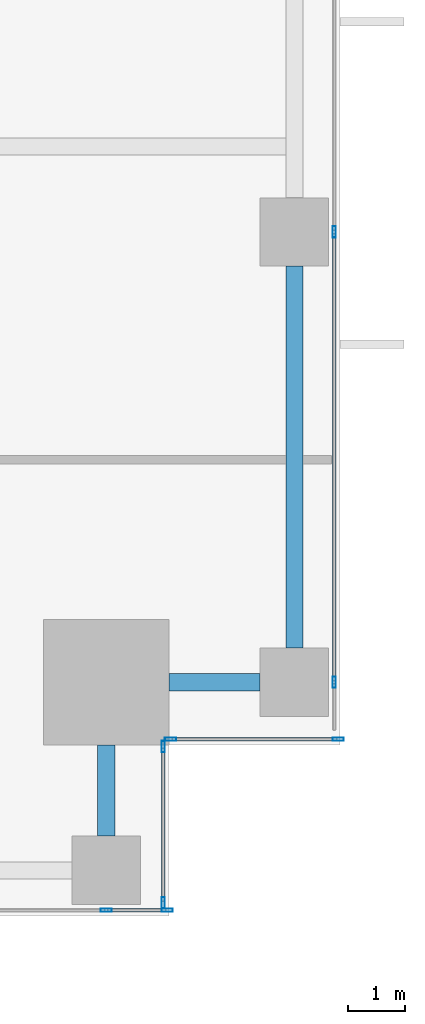
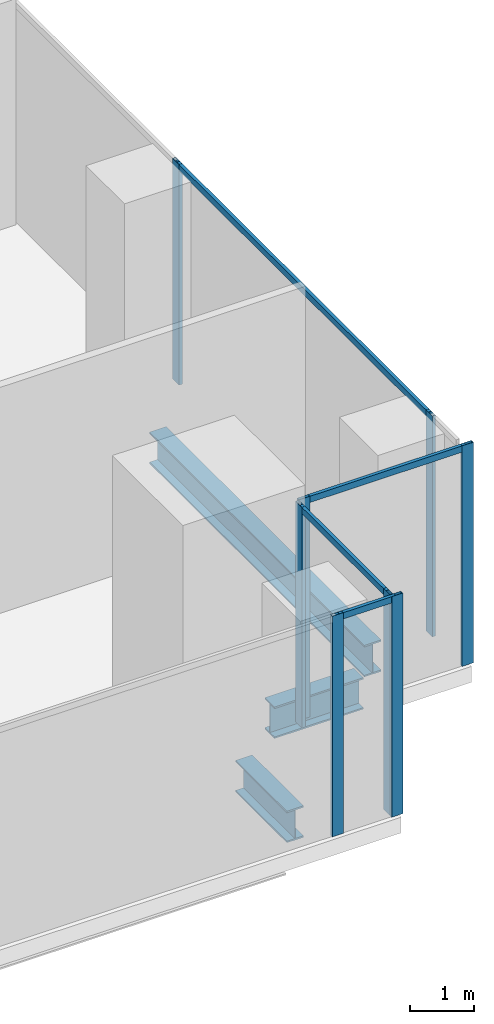
# One storey, part 9 of 32: 12 members, 3 beams, 4 elements without a shape of their own.
"""IFC4 building model written with IfcOpenShell, lengths in metres."""

from ifc_helpers import new_model, si_unit, direction, frame, origin, origin_2d, place, context, subcontext, project, spatial, hollow_rectangle, i_section, extrude, source, transform, mapped, material, material_profile, profile_set, type_object, element, aggregate, save


model = new_model("IFC4")

# Units and contexts
model_context = context("Model", 3, precision=1e-05, world=origin(), true_north=direction((0.0, 1.0)))
body_context = subcontext(model_context, "Body", "Model", "MODEL_VIEW")
ifc_project = project(units=[si_unit("LENGTHUNIT", "METRE"), si_unit("AREAUNIT", "SQUARE_METRE"), si_unit("VOLUMEUNIT", "CUBIC_METRE"), si_unit("PLANEANGLEUNIT", "RADIAN"), si_unit("MASSUNIT", "GRAM", prefix="KILO")], contexts=[model_context])

# Site, building, storey
site_placement = place(None, origin())
site = spatial("IfcSite", under=ifc_project, at=site_placement, CompositionType="ELEMENT")
building_placement = place(site_placement, origin())
building = spatial("IfcBuilding", under=site, at=building_placement, Name="Khomas Fold Tower", CompositionType="ELEMENT")
storey_placement = place(building_placement, frame((0.0, 0.0, 37.5)))
storey = spatial("IfcBuildingStorey", under=building, at=storey_placement, Name="L07", CompositionType="ELEMENT", Elevation=37.5)

# Beams
ifc_material_1 = material(Name="Steel S355", Category="steel")
ifc_material_profile_1 = material_profile(ifc_material_1, i_section(OverallWidth=0.300048828125, OverallDepth=0.60009765625, WebThickness=0.015380859375, FlangeThickness=0.030029296875, at=origin_2d()), Name="HE 600 B")
ifc_profile_set_1 = profile_set([ifc_material_profile_1], Name="Steel S355")
beam_type = type_object("IfcBeamType", Name="HE 600 B spandrel SB1", PredefinedType="SPANDREL", material=ifc_profile_set_1)
shared_shape_1 = source(origin(), body_context, "Body", "SweptSolid", [
    extrude(i_section(OverallWidth=0.300048828125, OverallDepth=0.60009765625, WebThickness=0.015380859375, FlangeThickness=0.030029296875, at=origin_2d()), origin(), (0.0, 0.0, 1.0), 6.699951171875),
])
beam_placement = place(storey_placement, frame((53.199951171875, 4.699951171875, -0.60009765625), z_axis=(0.0, 1.0, 0.0), x_axis=(-1.0, 0.0, 0.0)))
element("IfcBeam", 1, at=beam_placement, inside=storey, type_object=beam_type, Name="SB1", PredefinedType="SPANDREL", context=body_context, shape_type="MappedRepresentation", body=[
    mapped(shared_shape_1, transform((0.0, 0.0, 0.0))),
])
shared_shape_2 = source(origin(), body_context, "Body", "SweptSolid", [
    extrude(i_section(OverallWidth=0.300048828125, OverallDepth=0.60009765625, WebThickness=0.015380859375, FlangeThickness=0.030029296875, at=origin_2d()), origin(), (0.0, 0.0, 1.0), 1.60009765625),
])
for number, where, z_axis, x_axis, name in (
    (2, (49.89990234375, 1.39990234375, -0.60009765625), (0.0, 1.0, 0.0), (-1.0, 0.0, 0.0), "SB1"),
    (3, (51.0, 4.10009765625, -0.60009765625), (1.0, 0.0, 0.0), (0.0, 1.0, 0.0), "SB1"),
):
    element("IfcBeam", number, at=place(storey_placement, frame(where, z_axis=z_axis, x_axis=x_axis)), inside=storey, type_object=beam_type, Name=name, PredefinedType="SPANDREL", context=body_context, shape_type="MappedRepresentation", body=[
        mapped(shared_shape_2, transform((0.0, 0.0, 0.0))),
    ])

# Curtain wall, member
ifc_material_2 = material(Name="Aluminium framed double glazing", Category="aluminium")
curtain_wall_type = type_object("IfcCurtainWallType", Name="SK-Unitised clear-glass wall, growing floors CW1", PredefinedType="NOTDEFINED", material=ifc_material_2)
curtain_wall_1_placement = place(storey_placement, origin())
curtain_wall_1 = element("IfcCurtainWall", 4, at=curtain_wall_1_placement, inside=storey, type_object=curtain_wall_type, Name="CW1 run L07 03-0", PredefinedType="NOTDEFINED")
ifc_material_3 = material(Name="Aluminium", Category="aluminium")
ifc_material_profile_2 = material_profile(ifc_material_3, hollow_rectangle(XDim=0.06005859375, YDim=0.1201171875, WallThickness=0.00390625, at=origin_2d()), Name="SK-Unitised clear-glass wall, growing floors transom CW1-T")
ifc_profile_set_2 = profile_set([ifc_material_profile_2], Name="Aluminium")
member_type_1 = type_object("IfcMemberType", Name="SK-Unitised clear-glass wall, growing floors transom CW1-T", PredefinedType="USERDEFINED", material=ifc_profile_set_2)
shared_shape_3 = source(origin(), body_context, "Body", "SweptSolid", [
    extrude(hollow_rectangle(XDim=0.06005859375, YDim=0.1201171875, WallThickness=0.00390625, at=origin_2d()), origin(), (0.0, 0.0, 1.0), 7.840087890625),
])
member_1_placement = place(storey_placement, frame((53.89990234375, 4.1298828125, 4.139892578125), z_axis=(0.0, 1.0, 0.0), x_axis=(-1.0, 0.0, 0.0)))
member_1 = element("IfcMember", 5, at=member_1_placement, type_object=member_type_1, Name="CW1 transom 2", ObjectType="TRANSOM", PredefinedType="USERDEFINED", context=body_context, shape_type="MappedRepresentation", body=[
    mapped(shared_shape_3, transform((0.0, 0.0, 0.0))),
])

curtain_wall_2_placement = place(storey_placement, origin())
curtain_wall_2 = element("IfcCurtainWall", 6, at=curtain_wall_2_placement, inside=storey, type_object=curtain_wall_type, Name="CW1 run L07 00-0", PredefinedType="NOTDEFINED")
shared_shape_4 = source(origin(), body_context, "Body", "SweptSolid", [
    extrude(hollow_rectangle(XDim=0.06005859375, YDim=0.1201171875, WallThickness=0.00390625, at=origin_2d()), origin(), (0.0, 0.0, 1.0), 1.010009765625),
])
member_2_placement = place(storey_placement, frame((49.929931640625, 0.10009765625, 4.139892578125), z_axis=(1.0, 0.0, 0.0), x_axis=(0.0, 1.0, 0.0)))
member_2 = element("IfcMember", 7, at=member_2_placement, type_object=member_type_1, Name="CW1 transom 8", ObjectType="TRANSOM", PredefinedType="USERDEFINED", context=body_context, shape_type="MappedRepresentation", body=[
    mapped(shared_shape_4, transform((0.0, 0.0, 0.0))),
])

curtain_wall_3_placement = place(storey_placement, origin())
curtain_wall_3 = element("IfcCurtainWall", 8, at=curtain_wall_3_placement, inside=storey, type_object=curtain_wall_type, Name="CW1 corner return L07 01", PredefinedType="NOTDEFINED")
shared_shape_5 = source(origin(), body_context, "Body", "SweptSolid", [
    extrude(hollow_rectangle(XDim=0.06005859375, YDim=0.1201171875, WallThickness=0.00390625, at=origin_2d()), origin(), (0.0, 0.0, 1.0), 2.679931640625),
])
member_3_placement = place(storey_placement, frame((50.89990234375, 0.260009765625, 4.139892578125), z_axis=(0.0, 1.0, 0.0), x_axis=(-1.0, 0.0, 0.0)))
member_3 = element("IfcMember", 9, at=member_3_placement, type_object=member_type_1, Name="CW1 transom 1", ObjectType="TRANSOM", PredefinedType="USERDEFINED", context=body_context, shape_type="MappedRepresentation", body=[
    mapped(shared_shape_5, transform((0.0, 0.0, 0.0))),
])

curtain_wall_4_placement = place(storey_placement, origin())
curtain_wall_4 = element("IfcCurtainWall", 10, at=curtain_wall_4_placement, inside=storey, type_object=curtain_wall_type, Name="CW1 corner return L07 02", PredefinedType="NOTDEFINED")
shared_shape_6 = source(origin(), body_context, "Body", "SweptSolid", [
    extrude(hollow_rectangle(XDim=0.06005859375, YDim=0.1201171875, WallThickness=0.00390625, at=origin_2d()), origin(), (0.0, 0.0, 1.0), 2.8798828125),
])
member_4_placement = place(storey_placement, frame((51.06005859375, 3.10009765625, 4.139892578125), z_axis=(1.0, 0.0, 0.0), x_axis=(0.0, 1.0, 0.0)))
member_4 = element("IfcMember", 11, at=member_4_placement, type_object=member_type_1, Name="CW1 transom 1", ObjectType="TRANSOM", PredefinedType="USERDEFINED", context=body_context, shape_type="MappedRepresentation", body=[
    mapped(shared_shape_6, transform((0.0, 0.0, 0.0))),
])

# Member
ifc_material_4 = material(Name="Aluminium", Category="aluminium")
ifc_material_profile_3 = material_profile(ifc_material_4, hollow_rectangle(XDim=0.06005859375, YDim=0.199951171875, WallThickness=0.00390625, at=origin_2d()), Name="SK-Unitised clear-glass wall, growing floors mullion CW1-M")
ifc_profile_set_3 = profile_set([ifc_material_profile_3], Name="Aluminium")
member_type_2 = type_object("IfcMemberType", Name="SK-Unitised clear-glass wall, growing floors mullion CW1-M", PredefinedType="MULLION", material=ifc_profile_set_3)
shared_shape_7 = source(origin(), body_context, "Body", "SweptSolid", [
    extrude(hollow_rectangle(XDim=0.06005859375, YDim=0.199951171875, WallThickness=0.00390625, at=origin_2d()), origin(), (0.0, 0.0, 1.0), 4.199951171875),
])
member_5_placement = place(storey_placement, frame((49.89990234375, 0.10009765625, 0.0), z_axis=(0.0, 0.0, 1.0), x_axis=(0.0, 1.0, 0.0)))
member_5 = element("IfcMember", 12, at=member_5_placement, type_object=member_type_2, Name="CW1 mullion 8", PredefinedType="MULLION", context=body_context, shape_type="MappedRepresentation", body=[
    mapped(shared_shape_7, transform((0.0, 0.0, 0.0))),
])

member_6_placement = place(storey_placement, frame((50.969970703125, 0.10009765625, 0.0), z_axis=(0.0, 0.0, 1.0), x_axis=(0.0, 1.0, 0.0)))
member_6 = element("IfcMember", 13, at=member_6_placement, type_object=member_type_2, Name="CW1 mullion 9", PredefinedType="MULLION", context=body_context, shape_type="MappedRepresentation", body=[
    mapped(shared_shape_7, transform((0.0, 0.0, 0.0))),
])

aggregate(curtain_wall_2, [member_5, member_6, member_2])

member_7_placement = place(storey_placement, frame((50.89990234375, 0.22998046875, 0.0), z_axis=(0.0, 0.0, 1.0), x_axis=(-1.0, 0.0, 0.0)))
member_7 = element("IfcMember", 14, at=member_7_placement, type_object=member_type_2, Name="CW1 mullion 1", PredefinedType="MULLION", context=body_context, shape_type="MappedRepresentation", body=[
    mapped(shared_shape_7, transform((0.0, 0.0, 0.0))),
])

member_8_placement = place(storey_placement, frame((50.89990234375, 2.969970703125, 0.0), z_axis=(0.0, 0.0, 1.0), x_axis=(-1.0, 0.0, 0.0)))
member_8 = element("IfcMember", 15, at=member_8_placement, type_object=member_type_2, Name="CW1 mullion 2", PredefinedType="MULLION", context=body_context, shape_type="MappedRepresentation", body=[
    mapped(shared_shape_7, transform((0.0, 0.0, 0.0))),
])

aggregate(curtain_wall_3, [member_7, member_8, member_3])

member_9_placement = place(storey_placement, frame((51.030029296875, 3.10009765625, 0.0), z_axis=(0.0, 0.0, 1.0), x_axis=(0.0, 1.0, 0.0)))
member_9 = element("IfcMember", 16, at=member_9_placement, type_object=member_type_2, Name="CW1 mullion 1", PredefinedType="MULLION", context=body_context, shape_type="MappedRepresentation", body=[
    mapped(shared_shape_7, transform((0.0, 0.0, 0.0))),
])

member_10_placement = place(storey_placement, frame((53.969970703125, 3.10009765625, 0.0), z_axis=(0.0, 0.0, 1.0), x_axis=(0.0, 1.0, 0.0)))
member_10 = element("IfcMember", 17, at=member_10_placement, type_object=member_type_2, Name="CW1 mullion 2", PredefinedType="MULLION", context=body_context, shape_type="MappedRepresentation", body=[
    mapped(shared_shape_7, transform((0.0, 0.0, 0.0))),
])

aggregate(curtain_wall_4, [member_9, member_10, member_4])

member_11_placement = place(storey_placement, frame((53.89990234375, 4.10009765625, 0.0), z_axis=(0.0, 0.0, 1.0), x_axis=(-1.0, 0.0, 0.0)))
member_11 = element("IfcMember", 18, at=member_11_placement, type_object=member_type_2, Name="CW1 mullion 2", PredefinedType="MULLION", context=body_context, shape_type="MappedRepresentation", body=[
    mapped(shared_shape_7, transform((0.0, 0.0, 0.0))),
])

member_12_placement = place(storey_placement, frame((53.89990234375, 12.0, 0.0), z_axis=(0.0, 0.0, 1.0), x_axis=(-1.0, 0.0, 0.0)))
member_12 = element("IfcMember", 19, at=member_12_placement, type_object=member_type_2, Name="CW1 mullion 3", PredefinedType="MULLION", context=body_context, shape_type="MappedRepresentation", body=[
    mapped(shared_shape_7, transform((0.0, 0.0, 0.0))),
])

aggregate(curtain_wall_1, [member_11, member_12, member_1])

save(model, "model.ifc")
